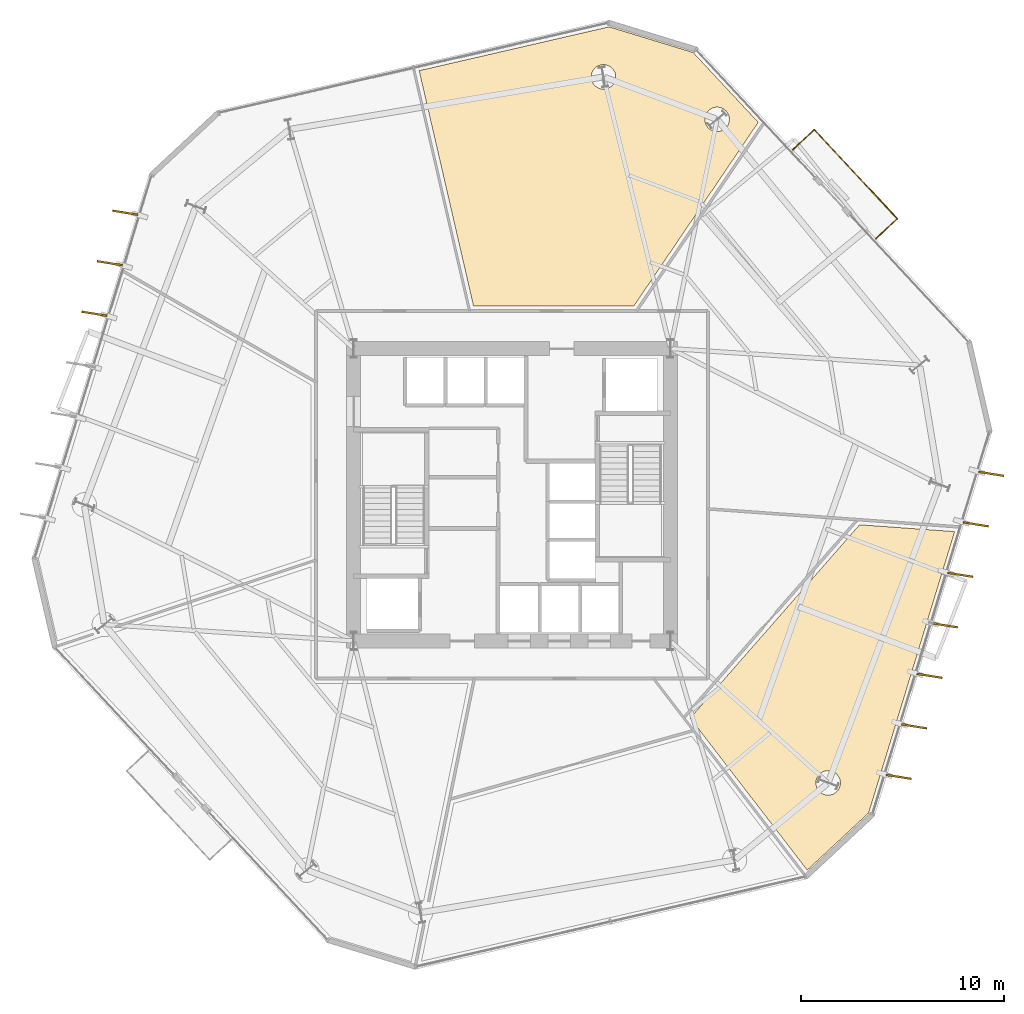
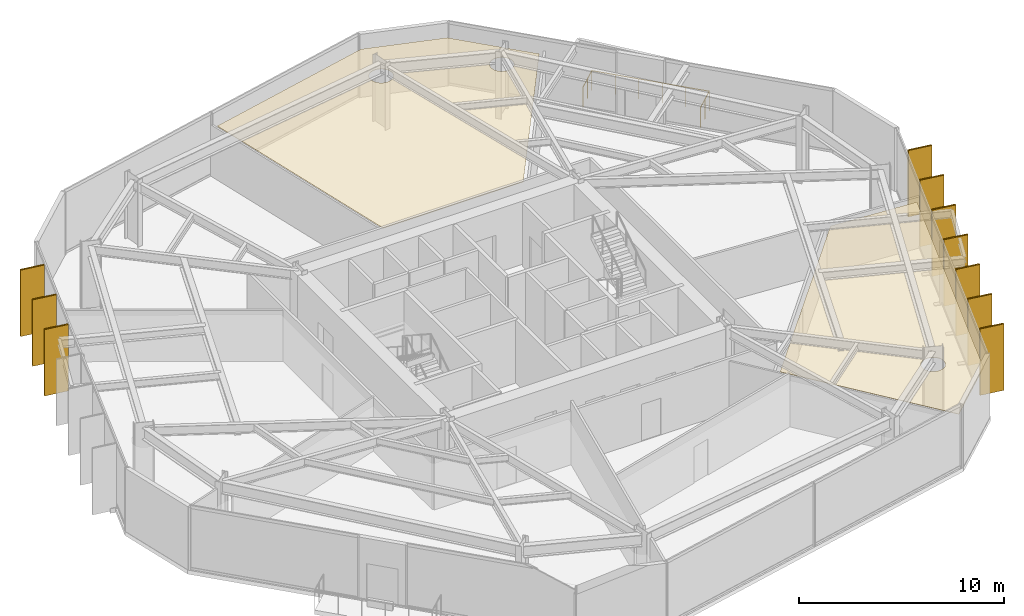
# One storey, part 10 of 10: 12 coverings, 10 shading devices, 1 railing.
"""IFC4 building model written with IfcOpenShell, lengths in metres."""

from ifc_helpers import new_model, si_unit, direction, frame, origin, origin_2d, place, context, subcontext, project, spatial, polyline, rectangle, circle, outline, extrude, material, layer, layer_set, type_object, element, save


model = new_model("IFC4")

# Units and contexts
model_context = context("Model", 3, precision=1e-05, world=origin(), true_north=direction((0.0, 1.0)))
body_context = subcontext(model_context, "Body", "Model", "MODEL_VIEW")
ifc_project = project(units=[si_unit("LENGTHUNIT", "METRE"), si_unit("AREAUNIT", "SQUARE_METRE"), si_unit("VOLUMEUNIT", "CUBIC_METRE"), si_unit("PLANEANGLEUNIT", "RADIAN"), si_unit("MASSUNIT", "GRAM", prefix="KILO")], contexts=[model_context])

# Site, building, storey
site_placement = place(None, origin())
site = spatial("IfcSite", under=ifc_project, at=site_placement, CompositionType="ELEMENT")
building_placement = place(site_placement, origin())
building = spatial("IfcBuilding", under=site, at=building_placement, Name="Kranzbogen Civic Tower", CompositionType="ELEMENT")
storey_placement = place(building_placement, frame((0.0, 0.0, 72.0)))
storey = spatial("IfcBuildingStorey", under=building, at=storey_placement, Name="L17", CompositionType="ELEMENT", Elevation=72.0)

# Coverings
ifc_material_1 = material(Name="Pale Anodised Aluminium", Category="aluminium")
ifc_layer_1 = layer(ifc_material_1, 0.02490234375, Name="Pale Anodised Aluminium")
ifc_layer_set_1 = layer_set([ifc_layer_1], Name="Pale Anodised Aluminium")
covering_type_1 = type_object("IfcCoveringType", Name="Anodised Aluminium Vertical Fin Cladding 25 mm", PredefinedType="CLADDING", material=ifc_layer_set_1)
for number, where, z_axis, x_axis, name in (
    (1, (5.9599609375, 38.887939453125, -0.139892578125), (0.0, 0.0, 1.0), (-0.987386187922, 0.158330401065, 0.0), "L17 vertical fin pale-metal cladding F3-1"),
    (2, (5.199951171875, 36.402099609375, -0.139892578125), (0.0, 0.0, 1.0), (-0.987386187922, 0.158330401065, 0.0), "L17 vertical fin pale-metal cladding F3-2"),
    (3, (4.43896484375, 33.9150390625, -0.139892578125), (0.0, 0.0, 1.0), (-0.987386187922, 0.158330401065, 0.0), "L17 vertical fin pale-metal cladding F3-3"),
    (4, (44.0400390625, 11.112060546875, -0.139892578125), (0.0, 0.0, 1.0), (0.987386187922, -0.158330401065, 0.0), "L17 vertical fin pale-metal cladding F6-1"),
    (5, (44.800048828125, 13.597900390625, -0.139892578125), (0.0, 0.0, 1.0), (0.987386187922, -0.158330401065, 0.0), "L17 vertical fin pale-metal cladding F6-2"),
    (6, (45.56103515625, 16.0849609375, -0.139892578125), (0.0, 0.0, 1.0), (0.987386187922, -0.158330401065, 0.0), "L17 vertical fin pale-metal cladding F6-3"),
    (7, (46.321044921875, 18.571044921875, -0.139892578125), (0.0, 0.0, 1.0), (0.987386187922, -0.158330401065, 0.0), "L17 vertical fin pale-metal cladding F6-4"),
    (8, (47.0810546875, 21.05810546875, -0.139892578125), (0.0, 0.0, 1.0), (0.987386187922, -0.158330401065, 0.0), "L17 vertical fin pale-metal cladding F6-5"),
    (9, (47.841064453125, 23.5439453125, -0.139892578125), (0.0, 0.0, 1.0), (0.987386187922, -0.158330401065, 0.0), "L17 vertical fin pale-metal cladding F6-6"),
    (10, (48.60107421875, 26.030029296875, -0.139892578125), (0.0, 0.0, 1.0), (0.987386187922, -0.158330401065, 0.0), "L17 vertical fin pale-metal cladding F6-7"),
):
    element("IfcCovering", number, at=place(storey_placement, frame(where, z_axis=z_axis, x_axis=x_axis)), inside=storey, type_object=covering_type_1, Name=name, PredefinedType="CLADDING", context=body_context, shape_type="SweptSolid", body=[
        extrude(rectangle(XDim=1.25, YDim=0.10009765625, at=origin_2d()), origin(), (0.0, 0.0, 1.0), 3.9599609375),
    ])

# Shading devices
ifc_material_2 = material(Name="Anodised Bronze Aluminium", Category="aluminium")
shading_device_type = type_object("IfcShadingDeviceType", Name="Anodised Bronze Vertical Facade Fin 1250x80", PredefinedType="USERDEFINED", material=ifc_material_2)
for number, where, z_axis, x_axis, name in (
    (11, (5.9599609375, 38.887939453125, -0.139892578125), (0.0, 0.0, 1.0), (-0.987386187922, 0.158330401065, 0.0), "L17 vertical exterior shading fin F3-1"),
    (12, (5.199951171875, 36.402099609375, -0.139892578125), (0.0, 0.0, 1.0), (-0.987386187922, 0.158330401065, 0.0), "L17 vertical exterior shading fin F3-2"),
    (13, (4.43896484375, 33.9150390625, -0.139892578125), (0.0, 0.0, 1.0), (-0.987386187922, 0.158330401065, 0.0), "L17 vertical exterior shading fin F3-3"),
    (14, (44.0400390625, 11.112060546875, -0.139892578125), (0.0, 0.0, 1.0), (0.987386187922, -0.158330401065, 0.0), "L17 vertical exterior shading fin F6-1"),
    (15, (44.800048828125, 13.597900390625, -0.139892578125), (0.0, 0.0, 1.0), (0.987386187922, -0.158330401065, 0.0), "L17 vertical exterior shading fin F6-2"),
    (16, (45.56103515625, 16.0849609375, -0.139892578125), (0.0, 0.0, 1.0), (0.987386187922, -0.158330401065, 0.0), "L17 vertical exterior shading fin F6-3"),
    (17, (46.321044921875, 18.571044921875, -0.139892578125), (0.0, 0.0, 1.0), (0.987386187922, -0.158330401065, 0.0), "L17 vertical exterior shading fin F6-4"),
    (18, (47.0810546875, 21.05810546875, -0.139892578125), (0.0, 0.0, 1.0), (0.987386187922, -0.158330401065, 0.0), "L17 vertical exterior shading fin F6-5"),
    (19, (47.841064453125, 23.5439453125, -0.139892578125), (0.0, 0.0, 1.0), (0.987386187922, -0.158330401065, 0.0), "L17 vertical exterior shading fin F6-6"),
    (20, (48.60107421875, 26.030029296875, -0.139892578125), (0.0, 0.0, 1.0), (0.987386187922, -0.158330401065, 0.0), "L17 vertical exterior shading fin F6-7"),
):
    element("IfcShadingDevice", number, at=place(storey_placement, frame(where, z_axis=z_axis, x_axis=x_axis)), inside=storey, type_object=shading_device_type, Name=name, ObjectType="FIN", PredefinedType="USERDEFINED", context=body_context, shape_type="SweptSolid", body=[
        extrude(rectangle(XDim=1.25, YDim=0.080078125, at=origin_2d()), origin(), (0.0, 0.0, 1.0), 3.9599609375),
    ])

# Railing
railing_type = type_object("IfcRailingType", Name="Cantilevered Balcony Glass and Bronze Balustrade 1200", PredefinedType="BALUSTRADE", material=ifc_material_2)
railing_placement = place(storey_placement, frame((42.916015625, 37.60498046875, 0.0)))
element("IfcRailing", 21, at=railing_placement, inside=storey, type_object=railing_type, Name="L17 exterior terrace balustrade L17-TB2", PredefinedType="BALUSTRADE", context=body_context, shape_type="SweptSolid", body=[
    extrude(circle(Radius=0.02392578125, at=origin_2d()), frame((0.0, 0.0, 1.17578125), z_axis=(0.731184053678, 0.682180239854, 0.0), x_axis=(-0.682180239854, 0.731184053678, 0.0)), (0.0, 0.0, 1.0), 1.44970703125),
    extrude(circle(Radius=0.02392578125, at=origin_2d()), frame((1.06005859375, 0.989013671875, 1.17578125), z_axis=(-0.682018086318, 0.731335306091, 0.0), x_axis=(-0.731335306091, -0.682018086318, 0.0)), (0.0, 0.0, 1.0), 6.0),
    extrude(circle(Radius=0.02392578125, at=origin_2d()), frame((-3.031982421875, 5.376953125, 1.17578125), z_axis=(-0.731184053678, -0.682180239854, 0.0), x_axis=(0.682180239854, -0.731184053678, 0.0)), (0.0, 0.0, 1.0), 1.44970703125),
    extrude(circle(Radius=0.02099609375, at=origin_2d()), origin(), (0.0, 0.0, 1.0), 1.15185546875),
    extrude(circle(Radius=0.02099609375, at=origin_2d()), frame((0.530029296875, 0.49462890625, 0.0)), (0.0, 0.0, 1.0), 1.15185546875),
    extrude(circle(Radius=0.02099609375, at=origin_2d()), frame((1.06005859375, 0.989013671875, 0.0)), (0.0, 0.0, 1.0), 1.15185546875),
    extrude(circle(Radius=0.02099609375, at=origin_2d()), frame((0.24169921875, 1.86669921875, 0.0)), (0.0, 0.0, 1.0), 1.15185546875),
    extrude(circle(Radius=0.02099609375, at=origin_2d()), frame((-0.57666015625, 2.744140625, 0.0)), (0.0, 0.0, 1.0), 1.15185546875),
    extrude(circle(Radius=0.02099609375, at=origin_2d()), frame((-1.395263671875, 3.621826171875, 0.0)), (0.0, 0.0, 1.0), 1.15185546875),
    extrude(circle(Radius=0.02099609375, at=origin_2d()), frame((-2.213623046875, 4.499267578125, 0.0)), (0.0, 0.0, 1.0), 1.15185546875),
    extrude(circle(Radius=0.02099609375, at=origin_2d()), frame((-3.031982421875, 5.376953125, 0.0)), (0.0, 0.0, 1.0), 1.15185546875),
    extrude(circle(Radius=0.02099609375, at=origin_2d()), frame((-3.56201171875, 4.88232421875, 0.0)), (0.0, 0.0, 1.0), 1.15185546875),
    extrude(circle(Radius=0.02099609375, at=origin_2d()), frame((-4.092041015625, 4.387939453125, 0.0)), (0.0, 0.0, 1.0), 1.15185546875),
])

# Coverings
ifc_material_3 = material(Name="Perforated Acoustic Gypsum Ceiling")
ifc_layer_2 = layer(ifc_material_3, 0.02490234375, Name="Perforated Acoustic Gypsum Ceiling")
ifc_layer_set_2 = layer_set([ifc_layer_2], Name="Perforated Acoustic Gypsum Ceiling")
covering_type_2 = type_object("IfcCoveringType", Name="Perforated Acoustic Mineral Ceiling Tile 25 mm", PredefinedType="CEILING", material=ifc_layer_set_2)
covering_1_placement = place(storey_placement, frame((0.0, 0.0, 2.89990234375)))
element("IfcCovering", 22, at=covering_1_placement, inside=storey, type_object=covering_type_2, Name="L17 Ministerial Policy Office acoustic ceiling", PredefinedType="CEILING", context=body_context, shape_type="SweptSolid", body=[
    extrude(outline(polyline([(33.77392578125, 14.00390625), (42.114013671875, 23.52392578125), (46.797119140625, 23.18701171875), (42.56298828125, 9.3369140625), (39.5380859375, 6.51708984375), (33.77392578125, 14.00390625)]), holes=[polyline([(41.123046875, 10.5810546875), (41.097900390625, 10.527099609375), (41.068115234375, 10.47705078125), (41.031982421875, 10.428955078125), (40.992919921875, 10.385009765625), (40.948974609375, 10.345947265625), (40.90087890625, 10.31005859375), (40.85107421875, 10.280029296875), (40.797119140625, 10.2548828125), (40.741943359375, 10.235107421875), (40.68408203125, 10.220947265625), (40.6259765625, 10.2119140625), (40.56689453125, 10.208984375), (40.508056640625, 10.2119140625), (40.449951171875, 10.220947265625), (40.39208984375, 10.235107421875), (40.3369140625, 10.2548828125), (40.282958984375, 10.280029296875), (40.23291015625, 10.31005859375), (40.18505859375, 10.345947265625), (40.14111328125, 10.385009765625), (40.10205078125, 10.428955078125), (40.06591796875, 10.47705078125), (40.035888671875, 10.527099609375), (40.010986328125, 10.5810546875), (39.990966796875, 10.635986328125), (39.97705078125, 10.694091796875), (39.968017578125, 10.751953125), (39.965087890625, 10.81103515625), (39.968017578125, 10.8701171875), (39.97705078125, 10.927978515625), (39.990966796875, 10.986083984375), (40.010986328125, 11.041015625), (40.035888671875, 11.094970703125), (40.06591796875, 11.14501953125), (40.10205078125, 11.193115234375), (40.14111328125, 11.237060546875), (40.18505859375, 11.27587890625), (40.23291015625, 11.31201171875), (40.282958984375, 11.342041015625), (40.3369140625, 11.366943359375), (40.39208984375, 11.386962890625), (40.449951171875, 11.40087890625), (40.508056640625, 11.409912109375), (40.56689453125, 11.4130859375), (40.6259765625, 11.409912109375), (40.68408203125, 11.40087890625), (40.741943359375, 11.386962890625), (40.797119140625, 11.366943359375), (40.85107421875, 11.342041015625), (40.90087890625, 11.31201171875), (40.948974609375, 11.27587890625), (40.992919921875, 11.237060546875), (41.031982421875, 11.193115234375), (41.068115234375, 11.14501953125), (41.097900390625, 11.094970703125), (41.123046875, 11.041015625), (41.14306640625, 10.986083984375), (41.156982421875, 10.927978515625), (41.166015625, 10.8701171875), (41.1689453125, 10.81103515625), (41.166015625, 10.751953125), (41.156982421875, 10.694091796875), (41.14306640625, 10.635986328125), (41.123046875, 10.5810546875)])]), origin(), (0.0, 0.0, 1.0), 0.025146484375),
])
covering_2_placement = place(storey_placement, frame((0.0, 0.0, 2.89990234375)))
element("IfcCovering", 23, at=covering_2_placement, inside=storey, type_object=covering_type_2, Name="L17 Citizen Services Kiosk acoustic ceiling", PredefinedType="CEILING", context=body_context, shape_type="SweptSolid", body=[
    extrude(outline(polyline([(33.919921875, 46.777099609375), (37.1259765625, 43.339111328125), (31.0, 34.294921875), (23.10595703125, 34.294921875), (20.429931640625, 45.882080078125), (29.781982421875, 48.0419921875), (33.919921875, 46.777099609375)]), holes=[polyline([(35.655029296875, 43.25390625), (35.6298828125, 43.199951171875), (35.60009765625, 43.14990234375), (35.56396484375, 43.10205078125), (35.52490234375, 43.05810546875), (35.48095703125, 43.01904296875), (35.43310546875, 42.98291015625), (35.383056640625, 42.952880859375), (35.3291015625, 42.927978515625), (35.27392578125, 42.907958984375), (35.216064453125, 42.89404296875), (35.157958984375, 42.885009765625), (35.09912109375, 42.882080078125), (35.0400390625, 42.885009765625), (34.98193359375, 42.89404296875), (34.924072265625, 42.907958984375), (34.868896484375, 42.927978515625), (34.81494140625, 42.952880859375), (34.764892578125, 42.98291015625), (34.717041015625, 43.01904296875), (34.673095703125, 43.05810546875), (34.634033203125, 43.10205078125), (34.597900390625, 43.14990234375), (34.568115234375, 43.199951171875), (34.54296875, 43.25390625), (34.52294921875, 43.30908203125), (34.509033203125, 43.366943359375), (34.5, 43.425048828125), (34.4970703125, 43.48388671875), (34.5, 43.54296875), (34.509033203125, 43.60107421875), (34.52294921875, 43.658935546875), (34.54296875, 43.714111328125), (34.568115234375, 43.76806640625), (34.597900390625, 43.818115234375), (34.634033203125, 43.865966796875), (34.673095703125, 43.909912109375), (34.717041015625, 43.948974609375), (34.764892578125, 43.985107421875), (34.81494140625, 44.014892578125), (34.868896484375, 44.0400390625), (34.924072265625, 44.06005859375), (34.98193359375, 44.073974609375), (35.0400390625, 44.0830078125), (35.09912109375, 44.0859375), (35.157958984375, 44.0830078125), (35.216064453125, 44.073974609375), (35.27392578125, 44.06005859375), (35.3291015625, 44.0400390625), (35.383056640625, 44.014892578125), (35.43310546875, 43.985107421875), (35.48095703125, 43.948974609375), (35.52490234375, 43.909912109375), (35.56396484375, 43.865966796875), (35.60009765625, 43.818115234375), (35.6298828125, 43.76806640625), (35.655029296875, 43.714111328125), (35.675048828125, 43.658935546875), (35.68896484375, 43.60107421875), (35.697998046875, 43.54296875), (35.700927734375, 43.48388671875), (35.697998046875, 43.425048828125), (35.68896484375, 43.366943359375), (35.675048828125, 43.30908203125), (35.655029296875, 43.25390625)]), polyline([(30.06103515625, 45.345947265625), (30.035888671875, 45.2919921875), (30.006103515625, 45.241943359375), (29.969970703125, 45.194091796875), (29.930908203125, 45.14990234375), (29.886962890625, 45.111083984375), (29.839111328125, 45.074951171875), (29.7890625, 45.044921875), (29.735107421875, 45.02001953125), (29.679931640625, 45.0), (29.6220703125, 44.986083984375), (29.56396484375, 44.97705078125), (29.5048828125, 44.97412109375), (29.446044921875, 44.97705078125), (29.387939453125, 44.986083984375), (29.330078125, 45.0), (29.27490234375, 45.02001953125), (29.220947265625, 45.044921875), (29.1708984375, 45.074951171875), (29.123046875, 45.111083984375), (29.0791015625, 45.14990234375), (29.0400390625, 45.194091796875), (29.00390625, 45.241943359375), (28.97412109375, 45.2919921875), (28.948974609375, 45.345947265625), (28.928955078125, 45.40087890625), (28.9150390625, 45.458984375), (28.906005859375, 45.51708984375), (28.903076171875, 45.575927734375), (28.906005859375, 45.635009765625), (28.9150390625, 45.693115234375), (28.928955078125, 45.7509765625), (28.948974609375, 45.805908203125), (28.97412109375, 45.860107421875), (29.00390625, 45.909912109375), (29.0400390625, 45.9580078125), (29.0791015625, 46.001953125), (29.123046875, 46.041015625), (29.1708984375, 46.076904296875), (29.220947265625, 46.10693359375), (29.27490234375, 46.132080078125), (29.330078125, 46.152099609375), (29.387939453125, 46.166015625), (29.446044921875, 46.175048828125), (29.5048828125, 46.177978515625), (29.56396484375, 46.175048828125), (29.6220703125, 46.166015625), (29.679931640625, 46.152099609375), (29.735107421875, 46.132080078125), (29.7890625, 46.10693359375), (29.839111328125, 46.076904296875), (29.886962890625, 46.041015625), (29.930908203125, 46.001953125), (29.969970703125, 45.9580078125), (30.006103515625, 45.909912109375), (30.035888671875, 45.860107421875), (30.06103515625, 45.805908203125), (30.0810546875, 45.7509765625), (30.094970703125, 45.693115234375), (30.10400390625, 45.635009765625), (30.10693359375, 45.575927734375), (30.10400390625, 45.51708984375), (30.094970703125, 45.458984375), (30.0810546875, 45.40087890625), (30.06103515625, 45.345947265625)])]), origin(), (0.0, 0.0, 1.0), 0.025146484375),
])

save(model, "model.ifc")
